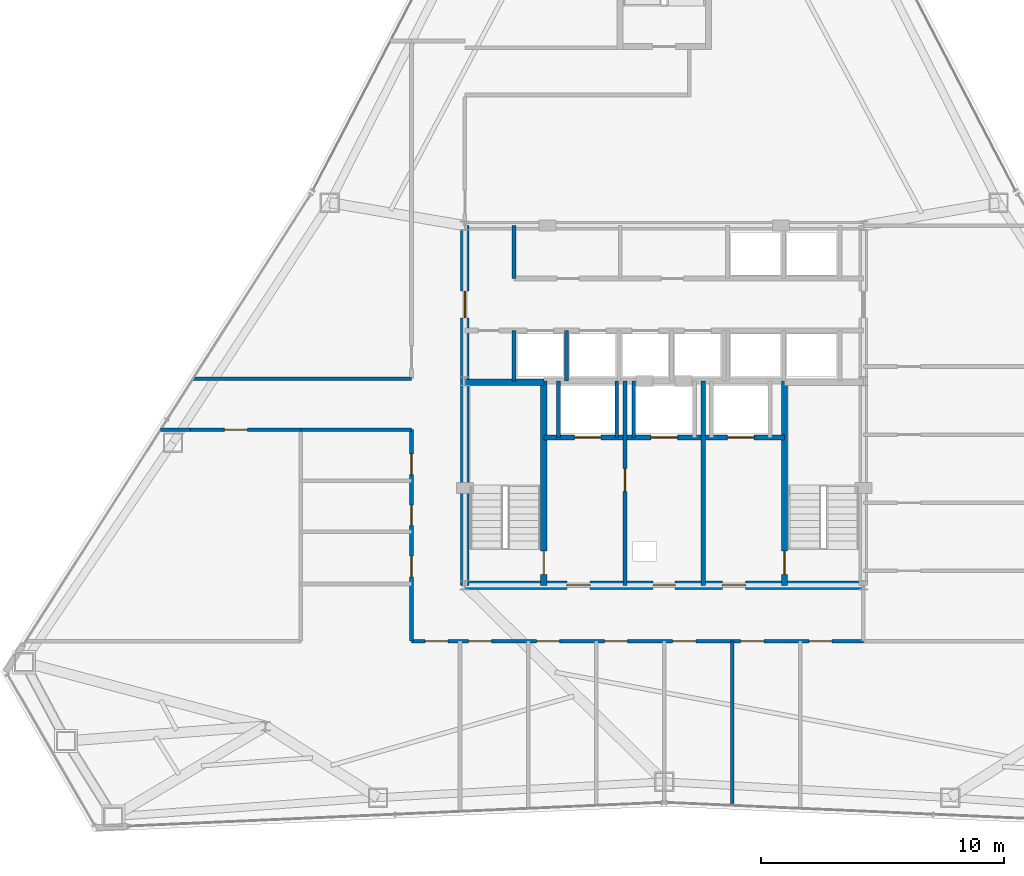
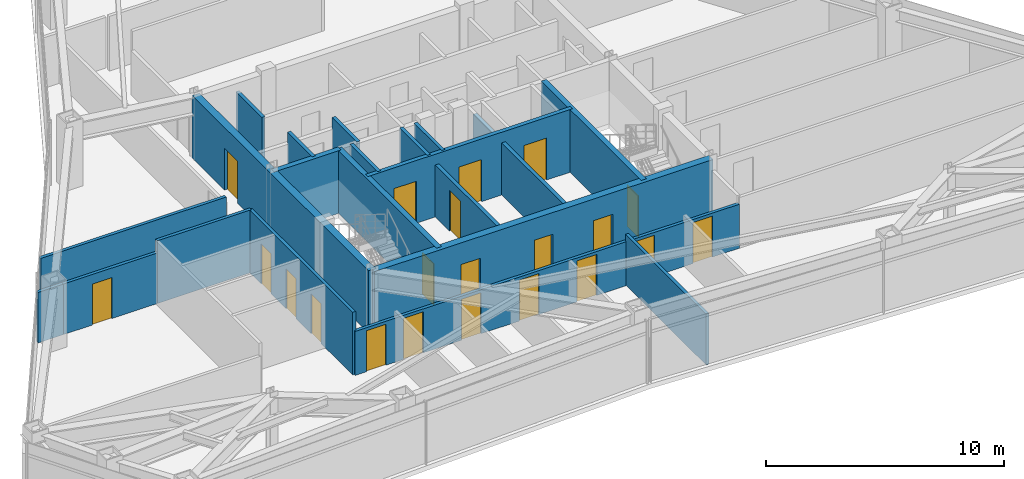
# One storey, part 10 of 13: 21 doors, 21 walls, 21 openings.
"""IFC4 building model written with IfcOpenShell, lengths in metres."""

from ifc_helpers import new_model, si_unit, direction, frame, frame_2d, origin, place, context, subcontext, project, spatial, rectangle, extrude, material, layer, layer_set, type_object, element, fill, save


model = new_model("IFC4")

# Units and contexts
model_context = context("Model", 3, precision=1e-05, world=origin(), true_north=direction((0.0, 1.0)))
body_context = subcontext(model_context, "Body", "Model", "MODEL_VIEW")
ifc_project = project(units=[si_unit("LENGTHUNIT", "METRE"), si_unit("AREAUNIT", "SQUARE_METRE"), si_unit("VOLUMEUNIT", "CUBIC_METRE"), si_unit("PLANEANGLEUNIT", "RADIAN"), si_unit("MASSUNIT", "GRAM", prefix="KILO")], contexts=[model_context])

# Site, building, storey
site_placement = place(None, origin())
site = spatial("IfcSite", under=ifc_project, at=site_placement, CompositionType="ELEMENT")
building_placement = place(site_placement, origin())
building = spatial("IfcBuilding", under=site, at=building_placement, Name="Varakhsha Concourse Tower", CompositionType="ELEMENT")
storey_placement = place(building_placement, frame((0.0, 0.0, 186.14990234375)))
storey = spatial("IfcBuildingStorey", under=building, at=storey_placement, Name="L53", CompositionType="ELEMENT", Elevation=186.14990234375)

# Wall, openings, doors
ifc_material_1 = material(Name="Concrete fc 65 MPa", Category="concrete")
ifc_layer_1 = layer(ifc_material_1, 0.35009765625, Name="WL-CORE-350")
ifc_layer_set_1 = layer_set([ifc_layer_1], Name="Concrete fc 65 MPa")
wall_type_1 = type_object("IfcWallType", Name="WL-CORE-350", PredefinedType="SHEAR", material=ifc_layer_set_1)
wall_1_placement = place(storey_placement, frame((31.800048828125, 16.39990234375, 0.0), z_axis=(0.0, 0.0, 1.0), x_axis=(1.0, 0.0, 0.0)))
wall_1 = element("IfcWall", 1, at=wall_1_placement, inside=storey, type_object=wall_type_1, Name="L53 Wall CWALL-S-L53", PredefinedType="SHEAR", context=body_context, shape_type="SweptSolid", body=[
    extrude(rectangle(XDim=16.39990234375, YDim=0.35009765625, at=frame_2d((8.199951171875, 0.0))), origin(), (0.0, 0.0, 1.0), 3.210205078125),
])
opening_1_placement = place(wall_1_placement, frame((7.75, 0.0, 0.0)))
opening_1 = element("IfcOpeningElement", 2, at=opening_1_placement, cuts=wall_1, Name="Opening DF-06", PredefinedType="OPENING", context=body_context, shape_type="SweptSolid", body=[
    extrude(rectangle(XDim=0.89990234375, YDim=2.10009765625, at=frame_2d((0.449951171875, 1.050048828125))), frame((0.0, 0.18505859375, 0.0), z_axis=(0.0, -1.0, 0.0), x_axis=(1.0, 0.0, 0.0)), (0.0, 0.0, 1.0), 0.3701171875),
])
opening_2_placement = place(wall_1_placement, frame((4.199951171875, 0.0, 0.0)))
opening_2 = element("IfcOpeningElement", 3, at=opening_2_placement, cuts=wall_1, Name="Opening DF-05", PredefinedType="OPENING", context=body_context, shape_type="SweptSolid", body=[
    extrude(rectangle(XDim=0.949951171875, YDim=2.10009765625, at=frame_2d((0.47509765625, 1.050048828125))), frame((0.0, 0.18505859375, 0.0), z_axis=(0.0, -1.0, 0.0), x_axis=(1.0, 0.0, 0.0)), (0.0, 0.0, 1.0), 0.3701171875),
])
opening_3_placement = place(wall_1_placement, frame((10.60009765625, 0.0, 0.0)))
opening_3 = element("IfcOpeningElement", 4, at=opening_3_placement, cuts=wall_1, Name="Opening DF-05", PredefinedType="OPENING", context=body_context, shape_type="SweptSolid", body=[
    extrude(rectangle(XDim=0.949951171875, YDim=2.10009765625, at=frame_2d((0.47509765625, 1.050048828125))), frame((0.0, 0.18505859375, 0.0), z_axis=(0.0, -1.0, 0.0), x_axis=(1.0, 0.0, 0.0)), (0.0, 0.0, 1.0), 0.3701171875),
])
ifc_material_2 = material(Name="Hollow Galvanised Steel Fire Door Assembly", Category="steel")
door_type_1 = type_object("IfcDoorType", Name="DR-FD60-900", OperationType="NOTDEFINED", PredefinedType="DOOR", material=ifc_material_2)
door_1_placement = place(opening_1_placement, origin())
door_1 = element("IfcDoor", 5, at=door_1_placement, inside=storey, type_object=door_type_1, Name="L53 Service Riser Vestibule Door", OperationType="SINGLE_SWING_LEFT", OverallHeight=2.10009765625, OverallWidth=0.89990234375, PredefinedType="DOOR", context=body_context, shape_type="SweptSolid", body=[
    extrude(rectangle(XDim=0.89990234375, YDim=2.10009765625, at=frame_2d((0.449951171875, 1.050048828125))), frame((0.0, 0.02490234375, 0.0), z_axis=(0.0, -1.0, 0.0), x_axis=(1.0, 0.0, 0.0)), (0.0, 0.0, 1.0), 0.050048828125),
])
fill(opening_1, door_1)
door_type_2 = type_object("IfcDoorType", Name="DR-FD60-950", OperationType="NOTDEFINED", PredefinedType="DOOR", material=ifc_material_2)
door_2_placement = place(opening_2_placement, origin())
door_2 = element("IfcDoor", 6, at=door_2_placement, inside=storey, type_object=door_type_2, Name="L53 Firefighting Lobby West Door", OperationType="SINGLE_SWING_RIGHT", OverallHeight=2.10009765625, OverallWidth=0.949951171875, PredefinedType="DOOR", context=body_context, shape_type="SweptSolid", body=[
    extrude(rectangle(XDim=0.949951171875, YDim=2.10009765625, at=frame_2d((0.47509765625, 1.050048828125))), frame((0.0, 0.02490234375, 0.0), z_axis=(0.0, -1.0, 0.0), x_axis=(1.0, 0.0, 0.0)), (0.0, 0.0, 1.0), 0.050048828125),
])
fill(opening_2, door_2)
door_3_placement = place(opening_3_placement, origin())
door_3 = element("IfcDoor", 7, at=door_3_placement, inside=storey, type_object=door_type_2, Name="L53 Firefighting Lobby East Door", OperationType="SINGLE_SWING_LEFT", OverallHeight=2.10009765625, OverallWidth=0.949951171875, PredefinedType="DOOR", context=body_context, shape_type="SweptSolid", body=[
    extrude(rectangle(XDim=0.949951171875, YDim=2.10009765625, at=frame_2d((0.47509765625, 1.050048828125))), frame((0.0, 0.02490234375, 0.0), z_axis=(0.0, -1.0, 0.0), x_axis=(1.0, 0.0, 0.0)), (0.0, 0.0, 1.0), 0.050048828125),
])
fill(opening_3, door_3)

# Wall, opening, door
wall_2_placement = place(storey_placement, frame((31.800048828125, 16.39990234375, 0.0), z_axis=(0.0, 0.0, 1.0), x_axis=(0.0, 1.0, 0.0)))
wall_2 = element("IfcWall", 8, at=wall_2_placement, inside=storey, type_object=wall_type_1, Name="L53 Wall CWALL-W-L53", PredefinedType="SHEAR", context=body_context, shape_type="SweptSolid", body=[
    extrude(rectangle(XDim=14.800048828125, YDim=0.35009765625, at=frame_2d((7.39990234375, 0.0))), origin(), (0.0, 0.0, 1.0), 3.210205078125),
])
opening_4_placement = place(wall_2_placement, frame((11.0, 0.0, 0.0)))
opening_4 = element("IfcOpeningElement", 9, at=opening_4_placement, cuts=wall_2, Name="Opening DL-01", PredefinedType="OPENING", context=body_context, shape_type="SweptSolid", body=[
    extrude(rectangle(XDim=1.10009765625, YDim=2.14990234375, at=frame_2d((0.550048828125, 1.074951171875))), frame((0.0, 0.18505859375, 0.0), z_axis=(0.0, -1.0, 0.0), x_axis=(1.0, 0.0, 0.0)), (0.0, 0.0, 1.0), 0.3701171875),
])
ifc_material_3 = material(Name="Anodised Bronze Architectural Aluminium AA 6063-T6", Category="aluminium")
door_type_3 = type_object("IfcDoorType", Name="DR-LOB-1100", OperationType="NOTDEFINED", PredefinedType="DOOR", material=ifc_material_3)
door_4_placement = place(opening_4_placement, origin())
door_4 = element("IfcDoor", 10, at=door_4_placement, inside=storey, type_object=door_type_3, Name="L53 Lift Lobby West Concourse Door", OperationType="SINGLE_SWING_LEFT", OverallHeight=2.14990234375, OverallWidth=1.10009765625, PredefinedType="DOOR", context=body_context, shape_type="SweptSolid", body=[
    extrude(rectangle(XDim=1.10009765625, YDim=2.14990234375, at=frame_2d((0.550048828125, 1.074951171875))), frame((0.0, 0.02490234375, 0.0), z_axis=(0.0, -1.0, 0.0), x_axis=(1.0, 0.0, 0.0)), (0.0, 0.0, 1.0), 0.050048828125),
])
fill(opening_4, door_4)

ifc_material_4 = material(Name="Fire-Rated Type X Gypsum Partition Assembly", Category="gypsum")
ifc_layer_2 = layer(ifc_material_4, 0.179931640625, Name="WL-FFLOB-180")
ifc_layer_set_2 = layer_set([ifc_layer_2], Name="Fire-Rated Type X Gypsum Partition Assembly")
wall_type_2 = type_object("IfcWallType", Name="WL-FFLOB-180", PredefinedType="PARTITIONING", material=ifc_layer_set_2)
wall_3_placement = place(storey_placement, frame((38.389892578125, 16.39990234375, 0.0), z_axis=(0.0, 0.0, 1.0), x_axis=(0.0, 1.0, 0.0)))
wall_3 = element("IfcWall", 11, at=wall_3_placement, inside=storey, type_object=wall_type_2, Name="L53 Wall FFW-1E-L53", PredefinedType="PARTITIONING", context=body_context, shape_type="SweptSolid", body=[
    extrude(rectangle(XDim=8.400146484375, YDim=0.179931640625, at=frame_2d((4.2001953125, 0.0))), origin(), (0.0, 0.0, 1.0), 2.6650390625),
])
opening_5_placement = place(wall_3_placement, frame((3.85009765625, 0.0, 0.0)))
opening_5 = element("IfcOpeningElement", 12, at=opening_5_placement, cuts=wall_3, Name="Opening DF-05", PredefinedType="OPENING", context=body_context, shape_type="SweptSolid", body=[
    extrude(rectangle(XDim=0.949951171875, YDim=2.10009765625, at=frame_2d((0.47509765625, 1.050048828125))), frame((0.0, 0.099853515625, 0.0), z_axis=(0.0, -1.0, 0.0), x_axis=(1.0, 0.0, 0.0)), (0.0, 0.0, 1.0), 0.199951171875),
])
door_5_placement = place(opening_5_placement, origin())
door_5 = element("IfcDoor", 13, at=door_5_placement, inside=storey, type_object=door_type_2, Name="L53 Service Vestibule Door", OperationType="SINGLE_SWING_RIGHT", OverallHeight=2.10009765625, OverallWidth=0.949951171875, PredefinedType="DOOR", context=body_context, shape_type="SweptSolid", body=[
    extrude(rectangle(XDim=0.949951171875, YDim=2.10009765625, at=frame_2d((0.47509765625, 1.050048828125))), frame((0.0, 0.02490234375, 0.0), z_axis=(0.0, -1.0, 0.0), x_axis=(1.0, 0.0, 0.0)), (0.0, 0.0, 1.0), 0.050048828125),
])
fill(opening_5, door_5)

# Wall
wall_4_placement = place(storey_placement, frame((41.610107421875, 16.39990234375, 0.0), z_axis=(0.0, 0.0, 1.0), x_axis=(0.0, 1.0, 0.0)))
element("IfcWall", 14, at=wall_4_placement, inside=storey, type_object=wall_type_2, Name="L53 Wall FFW-2W-L53", PredefinedType="PARTITIONING", context=body_context, shape_type="SweptSolid", body=[
    extrude(rectangle(XDim=8.400146484375, YDim=0.179931640625, at=frame_2d((4.2001953125, 0.0))), origin(), (0.0, 0.0, 1.0), 2.6650390625),
])

# Wall, openings, doors
ifc_layer_3 = layer(ifc_material_4, 0.14990234375, Name="WL-PART-150")
ifc_layer_set_3 = layer_set([ifc_layer_3], Name="Fire-Rated Type X Gypsum Partition Assembly")
wall_type_3 = type_object("IfcWallType", Name="WL-PART-150", PredefinedType="PARTITIONING", material=ifc_layer_set_3)
wall_5_placement = place(storey_placement, frame((29.60009765625, 14.10009765625, 0.0), z_axis=(0.0, 0.0, 1.0), x_axis=(1.0, 0.0, 0.0)))
wall_5 = element("IfcWall", 15, at=wall_5_placement, inside=storey, type_object=wall_type_3, Name="L53 Wall CRW-S-L53", PredefinedType="PARTITIONING", context=body_context, shape_type="SweptSolid", body=[
    extrude(rectangle(XDim=18.599853515625, YDim=0.14990234375, at=frame_2d((9.2998046875, 0.0))), origin(), (0.0, 0.0, 1.0), 2.252197265625),
])
opening_6_placement = place(wall_5_placement, frame((0.550048828125, 0.0, 0.0)))
opening_6 = element("IfcOpeningElement", 16, at=opening_6_placement, cuts=wall_5, Name="Opening DF-05", PredefinedType="OPENING", context=body_context, shape_type="SweptSolid", body=[
    extrude(rectangle(XDim=0.949951171875, YDim=2.10009765625, at=frame_2d((0.47509765625, 1.050048828125))), frame((0.0, 0.0849609375, 0.0), z_axis=(0.0, -1.0, 0.0), x_axis=(1.0, 0.0, 0.0)), (0.0, 0.0, 1.0), 0.169921875),
])
opening_7_placement = place(wall_5_placement, frame((2.35009765625, 0.0, 0.0)))
opening_7 = element("IfcOpeningElement", 17, at=opening_7_placement, cuts=wall_5, Name="Opening DF-05", PredefinedType="OPENING", context=body_context, shape_type="SweptSolid", body=[
    extrude(rectangle(XDim=0.949951171875, YDim=2.10009765625, at=frame_2d((0.47509765625, 1.050048828125))), frame((0.0, 0.0849609375, 0.0), z_axis=(0.0, -1.0, 0.0), x_axis=(1.0, 0.0, 0.0)), (0.0, 0.0, 1.0), 0.169921875),
])
opening_8_placement = place(wall_5_placement, frame((5.14990234375, 0.0, 0.0)))
opening_8 = element("IfcOpeningElement", 18, at=opening_8_placement, cuts=wall_5, Name="Opening DF-05", PredefinedType="OPENING", context=body_context, shape_type="SweptSolid", body=[
    extrude(rectangle(XDim=0.949951171875, YDim=2.10009765625, at=frame_2d((0.47509765625, 1.050048828125))), frame((0.0, 0.0849609375, 0.0), z_axis=(0.0, -1.0, 0.0), x_axis=(1.0, 0.0, 0.0)), (0.0, 0.0, 1.0), 0.169921875),
])
opening_9_placement = place(wall_5_placement, frame((7.949951171875, 0.0, 0.0)))
opening_9 = element("IfcOpeningElement", 19, at=opening_9_placement, cuts=wall_5, Name="Opening DF-05", PredefinedType="OPENING", context=body_context, shape_type="SweptSolid", body=[
    extrude(rectangle(XDim=0.949951171875, YDim=2.10009765625, at=frame_2d((0.47509765625, 1.050048828125))), frame((0.0, 0.0849609375, 0.0), z_axis=(0.0, -1.0, 0.0), x_axis=(1.0, 0.0, 0.0)), (0.0, 0.0, 1.0), 0.169921875),
])
opening_10_placement = place(wall_5_placement, frame((10.75, 0.0, 0.0)))
opening_10 = element("IfcOpeningElement", 20, at=opening_10_placement, cuts=wall_5, Name="Opening DF-05", PredefinedType="OPENING", context=body_context, shape_type="SweptSolid", body=[
    extrude(rectangle(XDim=0.949951171875, YDim=2.10009765625, at=frame_2d((0.47509765625, 1.050048828125))), frame((0.0, 0.0849609375, 0.0), z_axis=(0.0, -1.0, 0.0), x_axis=(1.0, 0.0, 0.0)), (0.0, 0.0, 1.0), 0.169921875),
])
opening_11_placement = place(wall_5_placement, frame((13.550048828125, 0.0, 0.0)))
opening_11 = element("IfcOpeningElement", 21, at=opening_11_placement, cuts=wall_5, Name="Opening DF-05", PredefinedType="OPENING", context=body_context, shape_type="SweptSolid", body=[
    extrude(rectangle(XDim=0.949951171875, YDim=2.10009765625, at=frame_2d((0.47509765625, 1.050048828125))), frame((0.0, 0.0849609375, 0.0), z_axis=(0.0, -1.0, 0.0), x_axis=(1.0, 0.0, 0.0)), (0.0, 0.0, 1.0), 0.169921875),
])
opening_12_placement = place(wall_5_placement, frame((16.35009765625, 0.0, 0.0)))
opening_12 = element("IfcOpeningElement", 22, at=opening_12_placement, cuts=wall_5, Name="Opening DF-05", PredefinedType="OPENING", context=body_context, shape_type="SweptSolid", body=[
    extrude(rectangle(XDim=0.949951171875, YDim=2.10009765625, at=frame_2d((0.47509765625, 1.050048828125))), frame((0.0, 0.0849609375, 0.0), z_axis=(0.0, -1.0, 0.0), x_axis=(1.0, 0.0, 0.0)), (0.0, 0.0, 1.0), 0.169921875),
])
door_6_placement = place(opening_6_placement, origin())
door_6 = element("IfcDoor", 23, at=door_6_placement, inside=storey, type_object=door_type_2, Name="L53 Project Controls Workroom L53-S1 Door", OperationType="SINGLE_SWING_LEFT", OverallHeight=2.10009765625, OverallWidth=0.949951171875, PredefinedType="DOOR", context=body_context, shape_type="SweptSolid", body=[
    extrude(rectangle(XDim=0.949951171875, YDim=2.10009765625, at=frame_2d((0.47509765625, 1.050048828125))), frame((0.0, 0.02490234375, 0.0), z_axis=(0.0, -1.0, 0.0), x_axis=(1.0, 0.0, 0.0)), (0.0, 0.0, 1.0), 0.050048828125),
])
fill(opening_6, door_6)
door_7_placement = place(opening_7_placement, origin())
door_7 = element("IfcDoor", 24, at=door_7_placement, inside=storey, type_object=door_type_2, Name="L53 Strategic Advisory Office Suite L53-S2 Door", OperationType="SINGLE_SWING_RIGHT", OverallHeight=2.10009765625, OverallWidth=0.949951171875, PredefinedType="DOOR", context=body_context, shape_type="SweptSolid", body=[
    extrude(rectangle(XDim=0.949951171875, YDim=2.10009765625, at=frame_2d((0.47509765625, 1.050048828125))), frame((0.0, 0.02490234375, 0.0), z_axis=(0.0, -1.0, 0.0), x_axis=(1.0, 0.0, 0.0)), (0.0, 0.0, 1.0), 0.050048828125),
])
fill(opening_7, door_7)
door_8_placement = place(opening_8_placement, origin())
door_8 = element("IfcDoor", 25, at=door_8_placement, inside=storey, type_object=door_type_2, Name="L53 Strategic Advisory Office Suite L53-S3 Door", OperationType="SINGLE_SWING_LEFT", OverallHeight=2.10009765625, OverallWidth=0.949951171875, PredefinedType="DOOR", context=body_context, shape_type="SweptSolid", body=[
    extrude(rectangle(XDim=0.949951171875, YDim=2.10009765625, at=frame_2d((0.47509765625, 1.050048828125))), frame((0.0, 0.02490234375, 0.0), z_axis=(0.0, -1.0, 0.0), x_axis=(1.0, 0.0, 0.0)), (0.0, 0.0, 1.0), 0.050048828125),
])
fill(opening_8, door_8)
door_9_placement = place(opening_9_placement, origin())
door_9 = element("IfcDoor", 26, at=door_9_placement, inside=storey, type_object=door_type_2, Name="L53 Strategic Advisory Office Suite L53-S4 Door", OperationType="SINGLE_SWING_RIGHT", OverallHeight=2.10009765625, OverallWidth=0.949951171875, PredefinedType="DOOR", context=body_context, shape_type="SweptSolid", body=[
    extrude(rectangle(XDim=0.949951171875, YDim=2.10009765625, at=frame_2d((0.47509765625, 1.050048828125))), frame((0.0, 0.02490234375, 0.0), z_axis=(0.0, -1.0, 0.0), x_axis=(1.0, 0.0, 0.0)), (0.0, 0.0, 1.0), 0.050048828125),
])
fill(opening_9, door_9)
door_10_placement = place(opening_10_placement, origin())
door_10 = element("IfcDoor", 27, at=door_10_placement, inside=storey, type_object=door_type_2, Name="L53 Strategic Advisory Office Suite L53-S5 Door", OperationType="SINGLE_SWING_LEFT", OverallHeight=2.10009765625, OverallWidth=0.949951171875, PredefinedType="DOOR", context=body_context, shape_type="SweptSolid", body=[
    extrude(rectangle(XDim=0.949951171875, YDim=2.10009765625, at=frame_2d((0.47509765625, 1.050048828125))), frame((0.0, 0.02490234375, 0.0), z_axis=(0.0, -1.0, 0.0), x_axis=(1.0, 0.0, 0.0)), (0.0, 0.0, 1.0), 0.050048828125),
])
fill(opening_10, door_10)
door_11_placement = place(opening_11_placement, origin())
door_11 = element("IfcDoor", 28, at=door_11_placement, inside=storey, type_object=door_type_2, Name="L53 Strategic Advisory Office Suite L53-S6 Door", OperationType="SINGLE_SWING_RIGHT", OverallHeight=2.10009765625, OverallWidth=0.949951171875, PredefinedType="DOOR", context=body_context, shape_type="SweptSolid", body=[
    extrude(rectangle(XDim=0.949951171875, YDim=2.10009765625, at=frame_2d((0.47509765625, 1.050048828125))), frame((0.0, 0.02490234375, 0.0), z_axis=(0.0, -1.0, 0.0), x_axis=(1.0, 0.0, 0.0)), (0.0, 0.0, 1.0), 0.050048828125),
])
fill(opening_11, door_11)
door_12_placement = place(opening_12_placement, origin())
door_12 = element("IfcDoor", 29, at=door_12_placement, inside=storey, type_object=door_type_2, Name="L53 Strategic Advisory Office Suite L53-S7 Door", OperationType="SINGLE_SWING_LEFT", OverallHeight=2.10009765625, OverallWidth=0.949951171875, PredefinedType="DOOR", context=body_context, shape_type="SweptSolid", body=[
    extrude(rectangle(XDim=0.949951171875, YDim=2.10009765625, at=frame_2d((0.47509765625, 1.050048828125))), frame((0.0, 0.02490234375, 0.0), z_axis=(0.0, -1.0, 0.0), x_axis=(1.0, 0.0, 0.0)), (0.0, 0.0, 1.0), 0.050048828125),
])
fill(opening_12, door_12)

wall_6_placement = place(storey_placement, frame((29.60009765625, 14.10009765625, 0.0), z_axis=(0.0, 0.0, 1.0), x_axis=(0.0, 1.0, 0.0)))
wall_6 = element("IfcWall", 30, at=wall_6_placement, inside=storey, type_object=wall_type_3, Name="L53 Wall CRW-WS-L53", PredefinedType="PARTITIONING", context=body_context, shape_type="SweptSolid", body=[
    extrude(rectangle(XDim=8.699951171875, YDim=0.14990234375, at=frame_2d((4.35009765625, 0.0))), origin(), (0.0, 0.0, 1.0), 3.210205078125),
])
opening_13_placement = place(wall_6_placement, frame((2.64990234375, 0.0, 0.0)))
opening_13 = element("IfcOpeningElement", 31, at=opening_13_placement, cuts=wall_6, Name="Opening DF-07", PredefinedType="OPENING", context=body_context, shape_type="SweptSolid", body=[
    extrude(rectangle(XDim=0.85009765625, YDim=2.050048828125, at=frame_2d((0.425048828125, 1.02490234375))), frame((0.0, 0.0849609375, 0.0), z_axis=(0.0, -1.0, 0.0), x_axis=(1.0, 0.0, 0.0)), (0.0, 0.0, 1.0), 0.169921875),
])
opening_14_placement = place(wall_6_placement, frame((4.75, 0.0, 0.0)))
opening_14 = element("IfcOpeningElement", 32, at=opening_14_placement, cuts=wall_6, Name="Opening DF-07", PredefinedType="OPENING", context=body_context, shape_type="SweptSolid", body=[
    extrude(rectangle(XDim=0.85009765625, YDim=2.050048828125, at=frame_2d((0.425048828125, 1.02490234375))), frame((0.0, 0.0849609375, 0.0), z_axis=(0.0, -1.0, 0.0), x_axis=(1.0, 0.0, 0.0)), (0.0, 0.0, 1.0), 0.169921875),
])
opening_15_placement = place(wall_6_placement, frame((6.85009765625, 0.0, 0.0)))
opening_15 = element("IfcOpeningElement", 33, at=opening_15_placement, cuts=wall_6, Name="Opening DF-07", PredefinedType="OPENING", context=body_context, shape_type="SweptSolid", body=[
    extrude(rectangle(XDim=0.85009765625, YDim=2.050048828125, at=frame_2d((0.425048828125, 1.02490234375))), frame((0.0, 0.0849609375, 0.0), z_axis=(0.0, -1.0, 0.0), x_axis=(1.0, 0.0, 0.0)), (0.0, 0.0, 1.0), 0.169921875),
])
door_type_4 = type_object("IfcDoorType", Name="DR-FD60-850", OperationType="NOTDEFINED", PredefinedType="DOOR", material=ifc_material_2)
door_13_placement = place(opening_13_placement, origin())
door_13 = element("IfcDoor", 34, at=door_13_placement, inside=storey, type_object=door_type_4, Name="L53 Men Restroom WC Door", OperationType="SINGLE_SWING_LEFT", OverallHeight=2.050048828125, OverallWidth=0.85009765625, PredefinedType="DOOR", context=body_context, shape_type="SweptSolid", body=[
    extrude(rectangle(XDim=0.85009765625, YDim=2.050048828125, at=frame_2d((0.425048828125, 1.02490234375))), frame((0.0, 0.02490234375, 0.0), z_axis=(0.0, -1.0, 0.0), x_axis=(1.0, 0.0, 0.0)), (0.0, 0.0, 1.0), 0.050048828125),
])
fill(opening_13, door_13)
door_14_placement = place(opening_14_placement, origin())
door_14 = element("IfcDoor", 35, at=door_14_placement, inside=storey, type_object=door_type_4, Name="L53 Women Restroom WC Door", OperationType="SINGLE_SWING_LEFT", OverallHeight=2.050048828125, OverallWidth=0.85009765625, PredefinedType="DOOR", context=body_context, shape_type="SweptSolid", body=[
    extrude(rectangle(XDim=0.85009765625, YDim=2.050048828125, at=frame_2d((0.425048828125, 1.02490234375))), frame((0.0, 0.02490234375, 0.0), z_axis=(0.0, -1.0, 0.0), x_axis=(1.0, 0.0, 0.0)), (0.0, 0.0, 1.0), 0.050048828125),
])
fill(opening_14, door_14)
door_15_placement = place(opening_15_placement, origin())
door_15 = element("IfcDoor", 36, at=door_15_placement, inside=storey, type_object=door_type_4, Name="L53 Accessible WC Door", OperationType="SINGLE_SWING_LEFT", OverallHeight=2.050048828125, OverallWidth=0.85009765625, PredefinedType="DOOR", context=body_context, shape_type="SweptSolid", body=[
    extrude(rectangle(XDim=0.85009765625, YDim=2.050048828125, at=frame_2d((0.425048828125, 1.02490234375))), frame((0.0, 0.02490234375, 0.0), z_axis=(0.0, -1.0, 0.0), x_axis=(1.0, 0.0, 0.0)), (0.0, 0.0, 1.0), 0.050048828125),
])
fill(opening_15, door_15)

# Walls
wall_7_placement = place(storey_placement, frame((19.276123046875, 22.800048828125, 0.0), z_axis=(0.0, 0.0, 1.0), x_axis=(1.0, 0.0, 0.0)))
element("IfcWall", 37, at=wall_7_placement, inside=storey, type_object=wall_type_3, Name="L53 Wall CRW-WWS-W-L53", PredefinedType="PARTITIONING", context=body_context, shape_type="SweptSolid", body=[
    extrude(rectangle(XDim=1.223876953125, YDim=0.14990234375, at=frame_2d((0.61181640625, 0.0))), origin(), (0.0, 0.0, 1.0), 2.589111328125),
])
wall_8_placement = place(storey_placement, frame((25.050048828125, 22.800048828125, 0.0), z_axis=(0.0, 0.0, 1.0), x_axis=(1.0, 0.0, 0.0)))
element("IfcWall", 38, at=wall_8_placement, inside=storey, type_object=wall_type_3, Name="L53 Wall CRW-WWS-E-L53", PredefinedType="PARTITIONING", context=body_context, shape_type="SweptSolid", body=[
    extrude(rectangle(XDim=4.550048828125, YDim=0.14990234375, at=frame_2d((2.27490234375, 0.0))), origin(), (0.0, 0.0, 1.0), 3.210205078125),
])
wall_9_placement = place(storey_placement, frame((20.615966796875, 24.89990234375, 0.0), z_axis=(0.0, 0.0, 1.0), x_axis=(1.0, 0.0, 0.0)))
element("IfcWall", 39, at=wall_9_placement, inside=storey, type_object=wall_type_3, Name="L53 Wall CRW-WWN-L53", PredefinedType="PARTITIONING", context=body_context, shape_type="SweptSolid", body=[
    extrude(rectangle(XDim=8.984130859375, YDim=0.14990234375, at=frame_2d((4.4921875, 0.0))), origin(), (0.0, 0.0, 1.0), 2.589111328125),
])
wall_10_placement = place(storey_placement, frame((42.800048828125, 7.341552734375, 0.0), z_axis=(0.0, 0.0, 1.0), x_axis=(0.0, 1.0, 0.0)))
element("IfcWall", 40, at=wall_10_placement, inside=storey, type_object=wall_type_3, Name="L53 Wall ODIV-S5-L53", PredefinedType="PARTITIONING", context=body_context, shape_type="SweptSolid", body=[
    extrude(rectangle(XDim=6.758544921875, YDim=0.14990234375, at=frame_2d((3.37939453125, 0.0))), origin(), (0.0, 0.0, 1.0), 2.589111328125),
])

# Wall, opening, door
wall_11_placement = place(storey_placement, frame((20.5, 22.800048828125, 0.0), z_axis=(0.0, 0.0, 1.0), x_axis=(1.0, 0.0, 0.0)))
wall_11 = element("IfcWall", 41, at=wall_11_placement, inside=storey, type_object=wall_type_3, Name="L53 Wall CRW-WWS-DOOR-L53", PredefinedType="PARTITIONING", context=body_context, shape_type="SweptSolid", body=[
    extrude(rectangle(XDim=4.550048828125, YDim=0.14990234375, at=frame_2d((2.27490234375, 0.0))), origin(), (0.0, 0.0, 1.0), 2.589111328125),
])
opening_16_placement = place(wall_11_placement, frame((1.39990234375, 0.0, 0.0)))
opening_16 = element("IfcOpeningElement", 42, at=opening_16_placement, cuts=wall_11, Name="Opening DF-05", PredefinedType="OPENING", context=body_context, shape_type="SweptSolid", body=[
    extrude(rectangle(XDim=0.949951171875, YDim=2.10009765625, at=frame_2d((0.47509765625, 1.050048828125))), frame((0.0, 0.0849609375, 0.0), z_axis=(0.0, -1.0, 0.0), x_axis=(1.0, 0.0, 0.0)), (0.0, 0.0, 1.0), 0.169921875),
])
door_16_placement = place(opening_16_placement, origin())
door_16 = element("IfcDoor", 43, at=door_16_placement, inside=storey, type_object=door_type_2, Name="L53 Client Briefing Studio L53-SW Door", OperationType="SINGLE_SWING_LEFT", OverallHeight=2.10009765625, OverallWidth=0.949951171875, PredefinedType="DOOR", context=body_context, shape_type="SweptSolid", body=[
    extrude(rectangle(XDim=0.949951171875, YDim=2.10009765625, at=frame_2d((0.47509765625, 1.050048828125))), frame((0.0, 0.02490234375, 0.0), z_axis=(0.0, -1.0, 0.0), x_axis=(1.0, 0.0, 0.0)), (0.0, 0.0, 1.0), 0.050048828125),
])
fill(opening_16, door_16)

# Wall, openings, doors
ifc_layer_4 = layer(ifc_material_4, 0.199951171875, Name="WL-SHAFT-220")
ifc_layer_set_4 = layer_set([ifc_layer_4], Name="Fire-Rated Type X Gypsum Partition Assembly")
wall_type_4 = type_object("IfcWallType", Name="WL-SHAFT-220", PredefinedType="SOLIDWALL", material=ifc_layer_set_4)
wall_12_placement = place(storey_placement, frame((35.044921875, 22.47998046875, 0.0), z_axis=(0.0, 0.0, 1.0), x_axis=(1.0, 0.0, 0.0)))
wall_12 = element("IfcWall", 44, at=wall_12_placement, inside=storey, type_object=wall_type_4, Name="L53 Wall FFW-NH-L53", PredefinedType="SOLIDWALL", context=body_context, shape_type="SweptSolid", body=[
    extrude(rectangle(XDim=9.91015625, YDim=0.199951171875, at=frame_2d((4.955078125, 0.0))), origin(), (0.0, 0.0, 1.0), 3.210205078125),
])
opening_17_placement = place(wall_12_placement, frame((1.2548828125, 0.0, 0.0)))
opening_17 = element("IfcOpeningElement", 45, at=opening_17_placement, cuts=wall_12, Name="Opening LD-FFL-1", PredefinedType="OPENING", context=body_context, shape_type="SweptSolid", body=[
    extrude(rectangle(XDim=1.10009765625, YDim=2.14990234375, at=frame_2d((0.550048828125, 1.074951171875))), frame((0.0, 0.10986328125, 0.0), z_axis=(0.0, -1.0, 0.0), x_axis=(1.0, 0.0, 0.0)), (0.0, 0.0, 1.0), 0.219970703125),
])
opening_18_placement = place(wall_12_placement, frame((7.554931640625, 0.0, 0.0)))
opening_18 = element("IfcOpeningElement", 46, at=opening_18_placement, cuts=wall_12, Name="Opening LD-FFL-2", PredefinedType="OPENING", context=body_context, shape_type="SweptSolid", body=[
    extrude(rectangle(XDim=1.10009765625, YDim=2.14990234375, at=frame_2d((0.550048828125, 1.074951171875))), frame((0.0, 0.10986328125, 0.0), z_axis=(0.0, -1.0, 0.0), x_axis=(1.0, 0.0, 0.0)), (0.0, 0.0, 1.0), 0.219970703125),
])
opening_19_placement = place(wall_12_placement, frame((4.405029296875, 0.0, 0.0)))
opening_19 = element("IfcOpeningElement", 47, at=opening_19_placement, cuts=wall_12, Name="Opening LD-SVL-1", PredefinedType="OPENING", context=body_context, shape_type="SweptSolid", body=[
    extrude(rectangle(XDim=1.10009765625, YDim=2.14990234375, at=frame_2d((0.550048828125, 1.074951171875))), frame((0.0, 0.10986328125, 0.0), z_axis=(0.0, -1.0, 0.0), x_axis=(1.0, 0.0, 0.0)), (0.0, 0.0, 1.0), 0.219970703125),
])
ifc_material_5 = material(Name="Brushed Austenitic Stainless Steel AISI 316", Category="steel")
door_type_5 = type_object("IfcDoorType", Name="DR-LD-1100", OperationType="DOUBLE_DOOR_SLIDING", PredefinedType="DOOR", material=ifc_material_5)
door_17_placement = place(opening_17_placement, origin())
door_17 = element("IfcDoor", 48, at=door_17_placement, inside=storey, type_object=door_type_5, Name="Lift Landing Door FFL-1 L53", OperationType="DOUBLE_DOOR_SLIDING", OverallHeight=2.14990234375, OverallWidth=1.10009765625, PredefinedType="DOOR", context=body_context, shape_type="SweptSolid", body=[
    extrude(rectangle(XDim=1.10009765625, YDim=2.14990234375, at=frame_2d((0.550048828125, 1.074951171875))), frame((0.0, 0.02490234375, 0.0), z_axis=(0.0, -1.0, 0.0), x_axis=(1.0, 0.0, 0.0)), (0.0, 0.0, 1.0), 0.050048828125),
])
fill(opening_17, door_17)
door_18_placement = place(opening_18_placement, origin())
door_18 = element("IfcDoor", 49, at=door_18_placement, inside=storey, type_object=door_type_5, Name="Lift Landing Door FFL-2 L53", OperationType="DOUBLE_DOOR_SLIDING", OverallHeight=2.14990234375, OverallWidth=1.10009765625, PredefinedType="DOOR", context=body_context, shape_type="SweptSolid", body=[
    extrude(rectangle(XDim=1.10009765625, YDim=2.14990234375, at=frame_2d((0.550048828125, 1.074951171875))), frame((0.0, 0.02490234375, 0.0), z_axis=(0.0, -1.0, 0.0), x_axis=(1.0, 0.0, 0.0)), (0.0, 0.0, 1.0), 0.050048828125),
])
fill(opening_18, door_18)
door_19_placement = place(opening_19_placement, origin())
door_19 = element("IfcDoor", 50, at=door_19_placement, inside=storey, type_object=door_type_5, Name="Lift Landing Door SVL-1 L53", OperationType="DOUBLE_DOOR_SLIDING", OverallHeight=2.14990234375, OverallWidth=1.10009765625, PredefinedType="DOOR", context=body_context, shape_type="SweptSolid", body=[
    extrude(rectangle(XDim=1.10009765625, YDim=2.14990234375, at=frame_2d((0.550048828125, 1.074951171875))), frame((0.0, 0.02490234375, 0.0), z_axis=(0.0, -1.0, 0.0), x_axis=(1.0, 0.0, 0.0)), (0.0, 0.0, 1.0), 0.050048828125),
])
fill(opening_19, door_19)

# Walls
for number, where, z_axis, x_axis, name in (
    (51, (35.64990234375, 22.47998046875, 0.0), (0.0, 0.0, 1.0), (0.0, 1.0, 0.0), "L53 Wall SHW-FFL-1-W-L53"),
    (52, (38.050048828125, 22.47998046875, 0.0), (0.0, 0.0, 1.0), (0.0, 1.0, 0.0), "L53 Wall SHW-FFL-1-E-L53"),
    (53, (38.75, 22.47998046875, 0.0), (0.0, 0.0, 1.0), (0.0, 1.0, 0.0), "L53 Wall SHW-SVL-1-W-L53"),
):
    element("IfcWall", number, at=place(storey_placement, frame(where, z_axis=z_axis, x_axis=x_axis)), inside=storey, type_object=wall_type_4, Name=name, PredefinedType="SOLIDWALL", context=body_context, shape_type="SweptSolid", body=[
        extrude(rectangle(XDim=2.320068359375, YDim=0.159912109375, at=frame_2d((1.16015625, 0.0))), origin(), (0.0, 0.0, 1.0), 3.210205078125),
    ])
wall_13_placement = place(storey_placement, frame((33.820068359375, 29.02001953125, 0.0), z_axis=(0.0, 0.0, 1.0), x_axis=(0.0, 1.0, 0.0)))
element("IfcWall", 54, at=wall_13_placement, inside=storey, type_object=wall_type_4, Name="L53 Wall WBOH-E1-L53", PredefinedType="SOLIDWALL", context=body_context, shape_type="SweptSolid", body=[
    extrude(rectangle(XDim=2.179931640625, YDim=0.159912109375, at=frame_2d((1.08984375, 0.0))), origin(), (0.0, 0.0, 1.0), 2.6650390625),
])
for number, where, z_axis, x_axis, name in (
    (55, (33.820068359375, 24.800048828125, 0.0), (0.0, 0.0, 1.0), (0.0, 1.0, 0.0), "L53 Wall WBOH-E2-L53"),
    (56, (35.97998046875, 24.800048828125, 0.0), (0.0, 0.0, 1.0), (0.0, 1.0, 0.0), "L53 Wall SHW-LF-P05-E-L53"),
):
    element("IfcWall", number, at=place(storey_placement, frame(where, z_axis=z_axis, x_axis=x_axis)), inside=storey, type_object=wall_type_4, Name=name, PredefinedType="SOLIDWALL", context=body_context, shape_type="SweptSolid", body=[
        extrude(rectangle(XDim=2.079833984375, YDim=0.159912109375, at=frame_2d((1.0400390625, 0.0))), origin(), (0.0, 0.0, 1.0), 3.210205078125),
    ])

# Wall, opening, door
ifc_material_6 = material(Name="Concrete fc 45 MPa", Category="concrete")
ifc_layer_5 = layer(ifc_material_6, 0.25, Name="WL-STAIR-250")
ifc_layer_set_5 = layer_set([ifc_layer_5], Name="Concrete fc 45 MPa")
wall_type_5 = type_object("IfcWallType", Name="WL-STAIR-250", PredefinedType="SHEAR", material=ifc_layer_set_5)
wall_14_placement = place(storey_placement, frame((35.044921875, 16.39990234375, 0.0), z_axis=(0.0, 0.0, 1.0), x_axis=(0.0, 1.0, 0.0)))
wall_14 = element("IfcWall", 57, at=wall_14_placement, inside=storey, type_object=wall_type_5, Name="L53 Wall SWALL-ST1-E-L53", PredefinedType="SHEAR", context=body_context, shape_type="SweptSolid", body=[
    extrude(rectangle(XDim=8.400146484375, YDim=0.25, at=frame_2d((4.2001953125, 0.0))), origin(), (0.0, 0.0, 1.0), 3.210205078125),
])
opening_20_placement = place(wall_14_placement, frame((0.449951171875, 0.0, 0.0)))
opening_20 = element("IfcOpeningElement", 58, at=opening_20_placement, cuts=wall_14, Name="Opening DF-03", PredefinedType="OPENING", context=body_context, shape_type="SweptSolid", body=[
    extrude(rectangle(XDim=0.949951171875, YDim=2.10009765625, at=frame_2d((0.47509765625, 1.050048828125))), frame((0.0, 0.135009765625, 0.0), z_axis=(0.0, -1.0, 0.0), x_axis=(1.0, 0.0, 0.0)), (0.0, 0.0, 1.0), 0.27001953125),
])
door_type_6 = type_object("IfcDoorType", Name="DR-FD90-950", OperationType="NOTDEFINED", PredefinedType="DOOR", material=ifc_material_2)
door_20_placement = place(opening_20_placement, origin())
door_20 = element("IfcDoor", 59, at=door_20_placement, inside=storey, type_object=door_type_6, Name="L53 Stair ST1 Fire Door", OperationType="SINGLE_SWING_LEFT", OverallHeight=2.10009765625, OverallWidth=0.949951171875, PredefinedType="DOOR", context=body_context, shape_type="SweptSolid", body=[
    extrude(rectangle(XDim=0.949951171875, YDim=2.10009765625, at=frame_2d((0.47509765625, 1.050048828125))), frame((0.0, 0.02490234375, 0.0), z_axis=(0.0, -1.0, 0.0), x_axis=(1.0, 0.0, 0.0)), (0.0, 0.0, 1.0), 0.050048828125),
])
fill(opening_20, door_20)

# Wall
wall_15_placement = place(storey_placement, frame((31.800048828125, 24.7548828125, 0.0), z_axis=(0.0, 0.0, 1.0), x_axis=(1.0, 0.0, 0.0)))
element("IfcWall", 60, at=wall_15_placement, inside=storey, type_object=wall_type_5, Name="L53 Wall SWALL-ST1-N-L53", PredefinedType="SHEAR", context=body_context, shape_type="SweptSolid", body=[
    extrude(rectangle(XDim=3.244873046875, YDim=0.25, at=frame_2d((1.62255859375, 0.0))), origin(), (0.0, 0.0, 1.0), 3.210205078125),
])

# Wall, opening, door
wall_16_placement = place(storey_placement, frame((44.955078125, 16.39990234375, 0.0), z_axis=(0.0, 0.0, 1.0), x_axis=(0.0, 1.0, 0.0)))
wall_16 = element("IfcWall", 61, at=wall_16_placement, inside=storey, type_object=wall_type_5, Name="L53 Wall SWALL-ST2-W-L53", PredefinedType="SHEAR", context=body_context, shape_type="SweptSolid", body=[
    extrude(rectangle(XDim=8.400146484375, YDim=0.25, at=frame_2d((4.2001953125, 0.0))), origin(), (0.0, 0.0, 1.0), 3.210205078125),
])
opening_21_placement = place(wall_16_placement, frame((0.449951171875, 0.0, 0.0)))
opening_21 = element("IfcOpeningElement", 62, at=opening_21_placement, cuts=wall_16, Name="Opening DF-03", PredefinedType="OPENING", context=body_context, shape_type="SweptSolid", body=[
    extrude(rectangle(XDim=0.949951171875, YDim=2.10009765625, at=frame_2d((0.47509765625, 1.050048828125))), frame((0.0, 0.135009765625, 0.0), z_axis=(0.0, -1.0, 0.0), x_axis=(1.0, 0.0, 0.0)), (0.0, 0.0, 1.0), 0.27001953125),
])
door_21_placement = place(opening_21_placement, origin())
door_21 = element("IfcDoor", 63, at=door_21_placement, inside=storey, type_object=door_type_6, Name="L53 Stair ST2 Fire Door", OperationType="SINGLE_SWING_RIGHT", OverallHeight=2.10009765625, OverallWidth=0.949951171875, PredefinedType="DOOR", context=body_context, shape_type="SweptSolid", body=[
    extrude(rectangle(XDim=0.949951171875, YDim=2.10009765625, at=frame_2d((0.47509765625, 1.050048828125))), frame((0.0, 0.02490234375, 0.0), z_axis=(0.0, -1.0, 0.0), x_axis=(1.0, 0.0, 0.0)), (0.0, 0.0, 1.0), 0.050048828125),
])
fill(opening_21, door_21)

save(model, "model.ifc")
